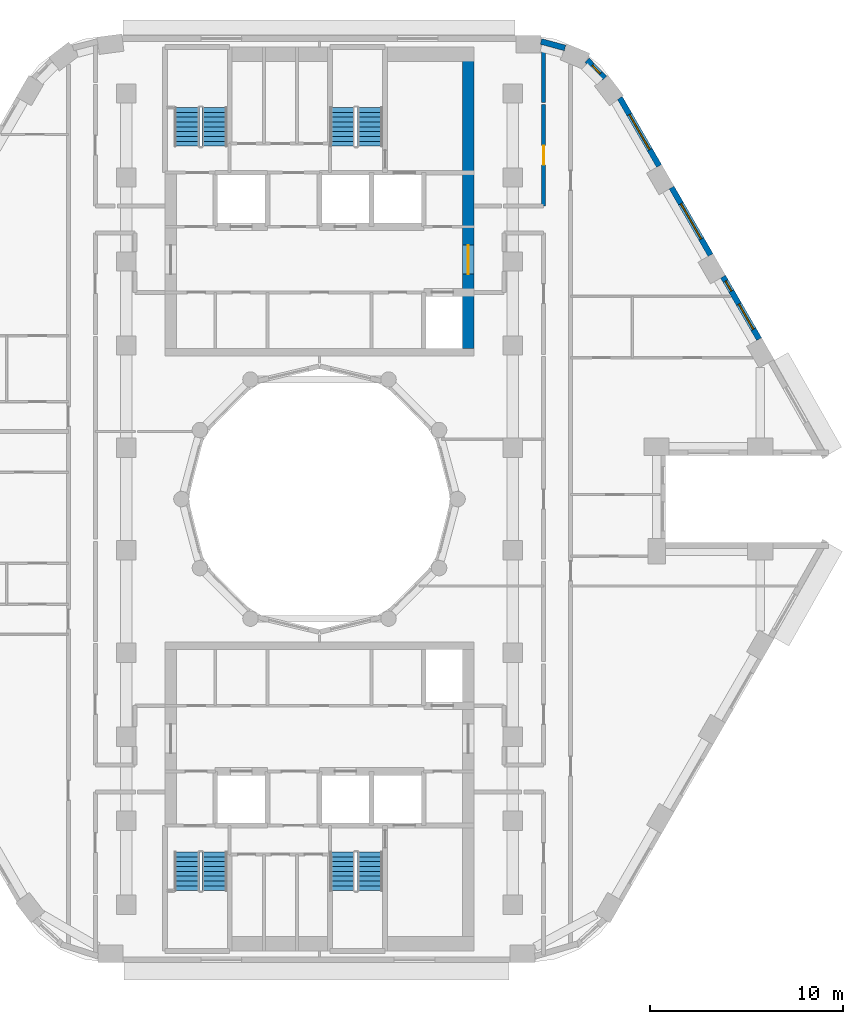
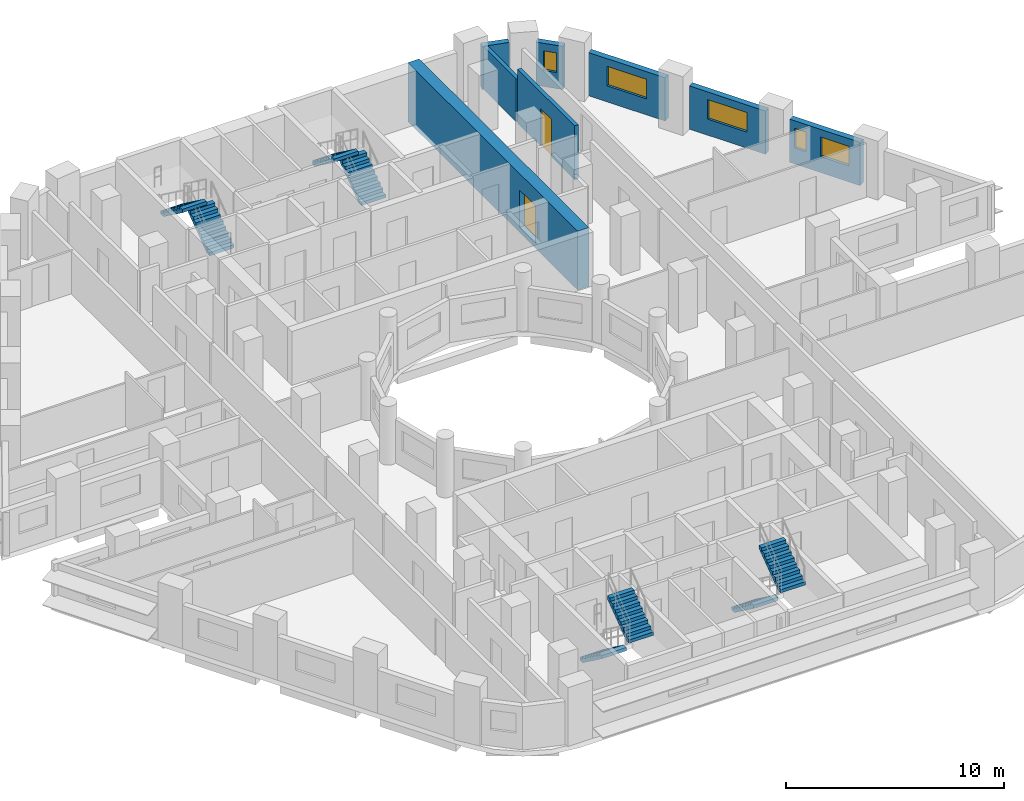
# One storey, part 9 of 13: 8 stair flights, 8 walls, 5 windows, 2 doors, 7 openings, 4 elements without a shape of their own.
"""IFC4 building model written with IfcOpenShell, lengths in metres."""

from ifc_helpers import new_model, si_unit, direction, frame, frame_2d, origin, place, context, subcontext, project, spatial, polyline, rectangle, outline, extrude, material, layer, layer_set, type_object, element, fill, aggregate, save


model = new_model("IFC4")

# Units and contexts
model_context = context("Model", 3, precision=1e-05, world=origin(), true_north=direction((0.0, 1.0)))
body_context = subcontext(model_context, "Body", "Model", "MODEL_VIEW")
ifc_project = project(units=[si_unit("LENGTHUNIT", "METRE"), si_unit("AREAUNIT", "SQUARE_METRE"), si_unit("VOLUMEUNIT", "CUBIC_METRE"), si_unit("PLANEANGLEUNIT", "RADIAN"), si_unit("MASSUNIT", "GRAM", prefix="KILO")], contexts=[model_context])

# Site, building, storey
site_placement = place(None, origin())
site = spatial("IfcSite", under=ifc_project, at=site_placement, CompositionType="ELEMENT")
building_placement = place(site_placement, origin())
building = spatial("IfcBuilding", under=site, at=building_placement, Name="Nakaniwa Court", CompositionType="ELEMENT")
storey_placement = place(building_placement, frame((0.0, 0.0, 143.699951171875)))
storey = spatial("IfcBuildingStorey", under=building, at=storey_placement, Name="L37", CompositionType="ELEMENT", Elevation=143.699951171875)

# Wall, opening, door
ifc_material_1 = material(Name="Acoustic double stud partition")
ifc_layer_1 = layer(ifc_material_1, 0.199951171875)
ifc_layer_set_1 = layer_set([ifc_layer_1], Name="Acoustic double stud partition")
wall_type_1 = type_object("IfcWallType", Name="Acoustic double stud partition 200", PredefinedType="PARTITIONING", material=ifc_layer_set_1)
wall_1_placement = place(storey_placement, frame((91.60009765625, 95.175048828125, 0.0), z_axis=(0.0, 0.0, 1.0), x_axis=(0.0, 1.0, 0.0)))
wall_1 = element("IfcWall", 1, at=wall_1_placement, inside=storey, type_object=wall_type_1, Name="Partition PW-077", PredefinedType="PARTITIONING", context=body_context, shape_type="SweptSolid", body=[
    extrude(rectangle(XDim=5.247802734375, YDim=0.199951171875, at=frame_2d((2.6240234375, 0.0))), origin(), (0.0, 0.0, 1.0), 3.025146484375),
])
opening_1_placement = place(wall_1_placement, frame((2.123046875, 0.0, 0.0)))
opening_1 = element("IfcOpeningElement", 2, at=opening_1_placement, cuts=wall_1, Name="Opening D-02-11", PredefinedType="OPENING", context=body_context, shape_type="SweptSolid", body=[
    extrude(rectangle(XDim=1.0, YDim=2.10009765625, at=frame_2d((0.5, 1.050048828125))), frame((0.0, 0.10986328125, 0.0), z_axis=(0.0, -1.0, 0.0), x_axis=(1.0, 0.0, 0.0)), (0.0, 0.0, 1.0), 0.219970703125),
])
ifc_material_2 = material(Name="Solid core timber door set, black veneer", Category="wood")
door_type_1 = type_object("IfcDoorType", Name="Internal door 1000", OperationType="NOTDEFINED", PredefinedType="DOOR", material=ifc_material_2)
door_1_placement = place(opening_1_placement, origin())
door_1 = element("IfcDoor", 3, at=door_1_placement, inside=storey, type_object=door_type_1, Name="Door D-02-11 L37-052", OperationType="SINGLE_SWING_LEFT", OverallHeight=2.10009765625, OverallWidth=1.0, PredefinedType="DOOR", context=body_context, shape_type="SweptSolid", body=[
    extrude(rectangle(XDim=1.0, YDim=2.10009765625, at=frame_2d((0.5, 1.050048828125))), frame((0.0, 0.02490234375, 0.0), z_axis=(0.0, -1.0, 0.0), x_axis=(1.0, 0.0, 0.0)), (0.0, 0.0, 1.0), 0.050048828125),
])
fill(opening_1, door_1)

# Wall
wall_2_placement = place(storey_placement, frame((91.60009765625, 100.537109375, 0.0), z_axis=(0.0, 0.0, 1.0), x_axis=(0.0, 1.0, 0.0)))
element("IfcWall", 4, at=wall_2_placement, inside=storey, type_object=wall_type_1, Name="Partition PW-078", PredefinedType="PARTITIONING", context=body_context, shape_type="SweptSolid", body=[
    extrude(rectangle(XDim=3.06201171875, YDim=0.199951171875, at=frame_2d((1.531005859375, 0.0))), origin(), (0.0, 0.0, 1.0), 2.405029296875),
])

# Wall, openings, windows
ifc_material_3 = material(Name="Charcoal ceramic cladding")
ifc_layer_2 = layer(ifc_material_3, 0.02, Name="Ceramic cladding")
ifc_material_4 = material(Name="Ventilated air cavity")
ifc_layer_3 = layer(ifc_material_4, 0.04, ventilated=True, Name="Ventilated cavity")
ifc_material_5 = material(Name="Mineral wool insulation")
ifc_layer_4 = layer(ifc_material_5, 0.1, Name="Insulation")
ifc_material_6 = material(Name="Cement bonded sheathing board")
ifc_layer_5 = layer(ifc_material_6, 0.012, Name="Sheathing")
ifc_material_7 = material(Name="Cold-formed galvanised stud frame with mineral wool infill")
ifc_layer_6 = layer(ifc_material_7, 0.1, Name="Stud frame")
ifc_material_8 = material(Name="Fire-rated gypsum plasterboard lining")
ifc_layer_7 = layer(ifc_material_8, 0.028, Name="Lining")
ifc_layer_set_2 = layer_set([ifc_layer_2, ifc_layer_3, ifc_layer_4, ifc_layer_5, ifc_layer_6, ifc_layer_7], Name="Charcoal ceramic faced external wall system")
wall_type_2 = type_object("IfcWallType", Name="Black ceramic faced external wall 300", PredefinedType="SOLIDWALL", material=ifc_layer_set_2)
wall_3_placement = place(storey_placement, frame((102.759521484375, 88.279052734375, 0.0), z_axis=(0.0, 0.0, 1.0), x_axis=(-0.499933594891, 0.866063739398, 0.0)))
wall_3 = element("IfcWall", 5, at=wall_3_placement, inside=storey, type_object=wall_type_2, Name="L37 external wall 03", PredefinedType="SOLIDWALL", context=body_context, shape_type="SweptSolid", body=[
    extrude(rectangle(XDim=3.73681640625, YDim=0.300048828125, at=frame_2d((1.868408203125, 0.0))), origin(), (0.0, 0.0, 1.0), 2.425048828125),
])
opening_2_placement = place(wall_3_placement, frame((0.59326171875, 0.0, 0.89990234375)))
opening_2 = element("IfcOpeningElement", 6, at=opening_2_placement, cuts=wall_3, Name="Opening W5.04", PredefinedType="OPENING", context=body_context, shape_type="SweptSolid", body=[
    extrude(rectangle(XDim=1.5, YDim=1.10009765625, at=frame_2d((0.75, 0.550048828125))), frame((0.0, 0.159912109375, 0.0), z_axis=(0.0, -1.0, 0.0), x_axis=(1.0, 0.0, 0.0)), (0.0, 0.0, 1.0), 0.320068359375),
])
opening_3_placement = place(wall_3_placement, frame((2.874755859375, 0.0, 0.89990234375)))
opening_3 = element("IfcOpeningElement", 7, at=opening_3_placement, cuts=wall_3, Name="Opening W8.05", PredefinedType="OPENING", context=body_context, shape_type="SweptSolid", body=[
    extrude(rectangle(XDim=0.60009765625, YDim=1.10009765625, at=frame_2d((0.300048828125, 0.550048828125))), frame((0.0, 0.159912109375, 0.0), z_axis=(0.0, -1.0, 0.0), x_axis=(1.0, 0.0, 0.0)), (0.0, 0.0, 1.0), 0.320068359375),
])
ifc_material_9 = material(Name="Black anodised aluminium frame with dark low-E laminated double glazing", Category="aluminium")
window_type_1 = type_object("IfcWindowType", Name="Dark glass window 1500x1100 sill 900", PartitioningType="SINGLE_PANEL", PredefinedType="WINDOW", material=ifc_material_9)
window_1_placement = place(opening_2_placement, origin())
window_1 = element("IfcWindow", 8, at=window_1_placement, inside=storey, type_object=window_type_1, Name="L37 habitable room window 03-0", OverallHeight=1.10009765625, OverallWidth=1.5, PartitioningType="SINGLE_PANEL", PredefinedType="WINDOW", context=body_context, shape_type="SweptSolid", body=[
    extrude(rectangle(XDim=1.5, YDim=1.10009765625, at=frame_2d((0.75, 0.550048828125))), frame((0.0, 0.030029296875, 0.0), z_axis=(0.0, -1.0, 0.0), x_axis=(1.0, 0.0, 0.0)), (0.0, 0.0, 1.0), 0.06005859375),
])
fill(opening_2, window_1)
window_type_2 = type_object("IfcWindowType", Name="Dark glass window 600x1100 sill 900", PartitioningType="SINGLE_PANEL", PredefinedType="WINDOW", material=ifc_material_9)
window_2_placement = place(opening_3_placement, origin())
window_2 = element("IfcWindow", 9, at=window_2_placement, inside=storey, type_object=window_type_2, Name="L37 habitable room window 03-1", OverallHeight=1.10009765625, OverallWidth=0.60009765625, PartitioningType="SINGLE_PANEL", PredefinedType="WINDOW", context=body_context, shape_type="SweptSolid", body=[
    extrude(rectangle(XDim=0.60009765625, YDim=1.10009765625, at=frame_2d((0.300048828125, 0.550048828125))), frame((0.0, 0.030029296875, 0.0), z_axis=(0.0, -1.0, 0.0), x_axis=(1.0, 0.0, 0.0)), (0.0, 0.0, 1.0), 0.06005859375),
])
fill(opening_3, window_2)

# Wall, opening, window
wall_4_placement = place(storey_placement, frame((100.245361328125, 92.63427734375, 0.0), z_axis=(0.0, 0.0, 1.0), x_axis=(-0.500031546601, 0.86600718958, 0.0)))
wall_4 = element("IfcWall", 10, at=wall_4_placement, inside=storey, type_object=wall_type_2, Name="L37 external wall 04", PredefinedType="SOLIDWALL", context=body_context, shape_type="SweptSolid", body=[
    extrude(rectangle(XDim=4.033935546875, YDim=0.300048828125, at=frame_2d((2.01708984375, 0.0))), origin(), (0.0, 0.0, 1.0), 2.425048828125),
])
opening_4_placement = place(wall_4_placement, frame((0.966796875, 0.0, 0.89990234375)))
opening_4 = element("IfcOpeningElement", 11, at=opening_4_placement, cuts=wall_4, Name="Opening W7.06", PredefinedType="OPENING", context=body_context, shape_type="SweptSolid", body=[
    extrude(rectangle(XDim=2.10009765625, YDim=1.10009765625, at=frame_2d((1.050048828125, 0.550048828125))), frame((0.0, 0.159912109375, 0.0), z_axis=(0.0, -1.0, 0.0), x_axis=(1.0, 0.0, 0.0)), (0.0, 0.0, 1.0), 0.320068359375),
])
window_type_3 = type_object("IfcWindowType", Name="Dark glass window 2100x1100 sill 900", PartitioningType="SINGLE_PANEL", PredefinedType="WINDOW", material=ifc_material_9)
window_3_placement = place(opening_4_placement, origin())
window_3 = element("IfcWindow", 12, at=window_3_placement, inside=storey, type_object=window_type_3, Name="L37 habitable room window 04-0", OverallHeight=1.10009765625, OverallWidth=2.10009765625, PartitioningType="SINGLE_PANEL", PredefinedType="WINDOW", context=body_context, shape_type="SweptSolid", body=[
    extrude(rectangle(XDim=2.10009765625, YDim=1.10009765625, at=frame_2d((1.050048828125, 0.550048828125))), frame((0.0, 0.030029296875, 0.0), z_axis=(0.0, -1.0, 0.0), x_axis=(1.0, 0.0, 0.0)), (0.0, 0.0, 1.0), 0.06005859375),
])
fill(opening_4, window_3)

wall_5_placement = place(storey_placement, frame((97.582275390625, 97.24658203125, 0.0), z_axis=(0.0, 0.0, 1.0), x_axis=(-0.500018589245, 0.866014671013, 0.0)))
wall_5 = element("IfcWall", 13, at=wall_5_placement, inside=storey, type_object=wall_type_2, Name="L37 external wall 05", PredefinedType="SOLIDWALL", context=body_context, shape_type="SweptSolid", body=[
    extrude(rectangle(XDim=4.067626953125, YDim=0.300048828125, at=frame_2d((2.03369140625, 0.0))), origin(), (0.0, 0.0, 1.0), 2.425048828125),
])
opening_5_placement = place(wall_5_placement, frame((0.97265625, 0.0, 0.89990234375)))
opening_5 = element("IfcOpeningElement", 14, at=opening_5_placement, cuts=wall_5, Name="Opening W7.07", PredefinedType="OPENING", context=body_context, shape_type="SweptSolid", body=[
    extrude(rectangle(XDim=2.10009765625, YDim=1.10009765625, at=frame_2d((1.050048828125, 0.550048828125))), frame((0.0, 0.159912109375, 0.0), z_axis=(0.0, -1.0, 0.0), x_axis=(1.0, 0.0, 0.0)), (0.0, 0.0, 1.0), 0.320068359375),
])
window_4_placement = place(opening_5_placement, origin())
window_4 = element("IfcWindow", 15, at=window_4_placement, inside=storey, type_object=window_type_3, Name="L37 habitable room window 05-0", OverallHeight=1.10009765625, OverallWidth=2.10009765625, PartitioningType="SINGLE_PANEL", PredefinedType="WINDOW", context=body_context, shape_type="SweptSolid", body=[
    extrude(rectangle(XDim=2.10009765625, YDim=1.10009765625, at=frame_2d((1.050048828125, 0.550048828125))), frame((0.0, 0.030029296875, 0.0), z_axis=(0.0, -1.0, 0.0), x_axis=(1.0, 0.0, 0.0)), (0.0, 0.0, 1.0), 0.06005859375),
])
fill(opening_5, window_4)

wall_6_placement = place(storey_placement, frame((94.76318359375, 101.79541015625, 0.0), z_axis=(0.0, 0.0, 1.0), x_axis=(-0.697598997785, 0.716488407645, 0.0)))
wall_6 = element("IfcWall", 16, at=wall_6_placement, inside=storey, type_object=wall_type_2, Name="L37 external wall 06", PredefinedType="SOLIDWALL", context=body_context, shape_type="SweptSolid", body=[
    extrude(rectangle(XDim=1.305419921875, YDim=0.300048828125, at=frame_2d((0.65283203125, 0.0))), origin(), (0.0, 0.0, 1.0), 2.425048828125),
])
opening_6_placement = place(wall_6_placement, frame((0.328125, 0.0, 0.89990234375)))
opening_6 = element("IfcOpeningElement", 17, at=opening_6_placement, cuts=wall_6, Name="Opening W8.08", PredefinedType="OPENING", context=body_context, shape_type="SweptSolid", body=[
    extrude(rectangle(XDim=0.60009765625, YDim=1.10009765625, at=frame_2d((0.300048828125, 0.550048828125))), frame((0.0, 0.159912109375, 0.0), z_axis=(0.0, -1.0, 0.0), x_axis=(1.0, 0.0, 0.0)), (0.0, 0.0, 1.0), 0.320068359375),
])
window_5_placement = place(opening_6_placement, origin())
window_5 = element("IfcWindow", 18, at=window_5_placement, inside=storey, type_object=window_type_2, Name="L37 habitable room window 06-0", OverallHeight=1.10009765625, OverallWidth=0.60009765625, PartitioningType="SINGLE_PANEL", PredefinedType="WINDOW", context=body_context, shape_type="SweptSolid", body=[
    extrude(rectangle(XDim=0.60009765625, YDim=1.10009765625, at=frame_2d((0.300048828125, 0.550048828125))), frame((0.0, 0.030029296875, 0.0), z_axis=(0.0, -1.0, 0.0), x_axis=(1.0, 0.0, 0.0)), (0.0, 0.0, 1.0), 0.06005859375),
])
fill(opening_6, window_5)

# Wall
wall_7_placement = place(storey_placement, frame((92.712890625, 103.3564453125, 0.0), z_axis=(0.0, 0.0, 1.0), x_axis=(-0.965274225809, 0.26123872031, 0.0)))
element("IfcWall", 19, at=wall_7_placement, inside=storey, type_object=wall_type_2, Name="L37 external wall 07", PredefinedType="SOLIDWALL", context=body_context, shape_type="SweptSolid", body=[
    extrude(rectangle(XDim=1.286865234375, YDim=0.300048828125, at=frame_2d((0.6435546875, 0.0))), origin(), (0.0, 0.0, 1.0), 2.425048828125),
])

# Wall, opening, door
ifc_material_10 = material(Name="Concrete C80/100", Category="concrete")
ifc_layer_8 = layer(ifc_material_10, 0.60009765625)
ifc_layer_set_3 = layer_set([ifc_layer_8], Name="Concrete C80/100")
wall_type_3 = type_object("IfcWallType", Name="Concrete core side wall 600 C80", PredefinedType="SHEAR", material=ifc_layer_set_3)
wall_8_placement = place(storey_placement, frame((87.699951171875, 103.39990234375, -0.27490234375), z_axis=(0.0, 0.0, 1.0), x_axis=(0.0, -1.0, 0.0)))
wall_8 = element("IfcWall", 20, at=wall_8_placement, inside=storey, type_object=wall_type_3, Name="Core wall SW-07", PredefinedType="SHEAR", context=body_context, shape_type="SweptSolid", body=[
    extrude(rectangle(XDim=15.599853515625, YDim=0.60009765625, at=frame_2d((7.7998046875, 0.0))), origin(), (0.0, 0.0, 1.0), 3.300048828125),
])
opening_7_placement = place(wall_8_placement, frame((10.248046875, 0.0, 0.27490234375)))
opening_7 = element("IfcOpeningElement", 21, at=opening_7_placement, cuts=wall_8, Name="Opening D-07-01", PredefinedType="OPENING", context=body_context, shape_type="SweptSolid", body=[
    extrude(rectangle(XDim=1.5, YDim=2.10009765625, at=frame_2d((0.75, 1.050048828125))), frame((0.0, 0.31005859375, 0.0), z_axis=(0.0, -1.0, 0.0), x_axis=(1.0, 0.0, 0.0)), (0.0, 0.0, 1.0), 0.6201171875),
])
ifc_material_11 = material(Name="Glazed fire rated steel double door set", Category="steel")
door_type_2 = type_object("IfcDoorType", Name="Lobby double door 1500", OperationType="NOTDEFINED", PredefinedType="DOOR", material=ifc_material_11)
door_2_placement = place(opening_7_placement, origin())
door_2 = element("IfcDoor", 22, at=door_2_placement, inside=storey, type_object=door_type_2, Name="Door D-07-01 L37-054", OperationType="DOUBLE_DOOR_SINGLE_SWING", OverallHeight=2.10009765625, OverallWidth=1.5, PredefinedType="DOOR", context=body_context, shape_type="SweptSolid", body=[
    extrude(rectangle(XDim=1.5, YDim=2.10009765625, at=frame_2d((0.75, 1.050048828125))), frame((0.0, 0.02490234375, 0.0), z_axis=(0.0, -1.0, 0.0), x_axis=(1.0, 0.0, 0.0)), (0.0, 0.0, 1.0), 0.050048828125),
])
fill(opening_7, door_2)

# Stair, stair flights
stair_type = type_object("IfcStairType", Name="Dog leg stair 1300 wide 18 risers", PredefinedType="HALF_TURN_STAIR", material=ifc_material_10)
stair_1_placement = place(storey_placement, origin())
stair_1 = element("IfcStair", 23, at=stair_1_placement, inside=storey, type_object=stair_type, Name="L37 Stair ST1", PredefinedType="HALF_TURN_STAIR")
stair_flight_type = type_object("IfcStairFlightType", Name="Stair flight 1300 wide 9 risers", PredefinedType="STRAIGHT", material=ifc_material_10)
stair_flight_1_placement = place(storey_placement, frame((74.574951171875, 98.27490234375, 0.0), z_axis=(0.0, 0.0, 1.0), x_axis=(0.0, 1.0, 0.0)))
stair_flight_1 = element("IfcStairFlight", 24, at=stair_flight_1_placement, type_object=stair_flight_type, Name="ST1 flight 1", NumberOfRisers=9, NumberOfTreads=8, PredefinedType="STRAIGHT", RiserHeight=0.183333333, TreadLength=0.25, context=body_context, shape_type="SweptSolid", body=[
    extrude(outline(polyline([(0.0, 0.0), (0.0, 0.026123046875), (0.0, 0.052490234375), (0.0, 0.07861328125), (0.0, 0.104736328125), (0.0, 0.130859375), (0.0, 0.1572265625), (0.0, 0.183349609375), (0.25, 0.183349609375), (0.25, 0.36669921875), (0.5, 0.36669921875), (0.5, 0.550048828125), (0.75, 0.550048828125), (0.75, 0.7333984375), (1.0, 0.7333984375), (1.0, 0.916748046875), (1.25, 0.916748046875), (1.25, 1.10009765625), (1.5, 1.10009765625), (1.5, 1.283447265625), (1.75, 1.283447265625), (1.75, 1.466552734375), (2.0, 1.466552734375), (2.0, 1.64990234375), (2.0, 1.59716796875), (2.0, 1.54443359375), (2.0, 1.49169921875), (2.0, 1.43896484375), (2.0, 1.38623046875), (2.0, 1.33349609375), (2.0, 1.28076171875), (0.25341796875, 0.0), (0.0, 0.0)])), frame((0.0, 0.64990234375, 0.0), z_axis=(0.0, -1.0, 0.0), x_axis=(1.0, 0.0, 0.0)), (0.0, 0.0, 1.0), 1.300048828125),
])
stair_flight_2_placement = place(storey_placement, frame((73.125, 100.27490234375, 1.650146484375), z_axis=(0.0, 0.0, 1.0), x_axis=(0.0, -1.0, 0.0)))
stair_flight_2 = element("IfcStairFlight", 25, at=stair_flight_2_placement, type_object=stair_flight_type, Name="ST1 flight 2", NumberOfRisers=9, NumberOfTreads=8, PredefinedType="STRAIGHT", RiserHeight=0.183333333, TreadLength=0.25, context=body_context, shape_type="SweptSolid", body=[
    extrude(outline(polyline([(0.0, 0.0), (0.0, 0.026123046875), (0.0, 0.052490234375), (0.0, 0.07861328125), (0.0, 0.104736328125), (0.0, 0.130859375), (0.0, 0.1572265625), (0.0, 0.183349609375), (0.25, 0.183349609375), (0.25, 0.36669921875), (0.5, 0.36669921875), (0.5, 0.550048828125), (0.75, 0.550048828125), (0.75, 0.7333984375), (1.0, 0.7333984375), (1.0, 0.916748046875), (1.25, 0.916748046875), (1.25, 1.10009765625), (1.5, 1.10009765625), (1.5, 1.283447265625), (1.75, 1.283447265625), (1.75, 1.466552734375), (2.0, 1.466552734375), (2.0, 1.64990234375), (2.0, 1.59716796875), (2.0, 1.54443359375), (2.0, 1.49169921875), (2.0, 1.43896484375), (2.0, 1.38623046875), (2.0, 1.33349609375), (2.0, 1.28076171875), (0.25341796875, 0.0), (0.0, 0.0)])), frame((0.0, 0.64990234375, 0.0), z_axis=(0.0, -1.0, 0.0), x_axis=(1.0, 0.0, 0.0)), (0.0, 0.0, 1.0), 1.300048828125),
])
aggregate(stair_1, [stair_flight_1, stair_flight_2])

stair_2_placement = place(storey_placement, origin())
stair_2 = element("IfcStair", 26, at=stair_2_placement, inside=storey, type_object=stair_type, Name="L37 Stair ST2", PredefinedType="HALF_TURN_STAIR")
stair_flight_3_placement = place(storey_placement, frame((82.625, 98.27490234375, 0.0), z_axis=(0.0, 0.0, 1.0), x_axis=(0.0, 1.0, 0.0)))
stair_flight_3 = element("IfcStairFlight", 27, at=stair_flight_3_placement, type_object=stair_flight_type, Name="ST2 flight 1", NumberOfRisers=9, NumberOfTreads=8, PredefinedType="STRAIGHT", RiserHeight=0.183333333, TreadLength=0.25, context=body_context, shape_type="SweptSolid", body=[
    extrude(outline(polyline([(0.0, 0.0), (0.0, 0.026123046875), (0.0, 0.052490234375), (0.0, 0.07861328125), (0.0, 0.104736328125), (0.0, 0.130859375), (0.0, 0.1572265625), (0.0, 0.183349609375), (0.25, 0.183349609375), (0.25, 0.36669921875), (0.5, 0.36669921875), (0.5, 0.550048828125), (0.75, 0.550048828125), (0.75, 0.7333984375), (1.0, 0.7333984375), (1.0, 0.916748046875), (1.25, 0.916748046875), (1.25, 1.10009765625), (1.5, 1.10009765625), (1.5, 1.283447265625), (1.75, 1.283447265625), (1.75, 1.466552734375), (2.0, 1.466552734375), (2.0, 1.64990234375), (2.0, 1.59716796875), (2.0, 1.54443359375), (2.0, 1.49169921875), (2.0, 1.43896484375), (2.0, 1.38623046875), (2.0, 1.33349609375), (2.0, 1.28076171875), (0.25341796875, 0.0), (0.0, 0.0)])), frame((0.0, 0.64990234375, 0.0), z_axis=(0.0, -1.0, 0.0), x_axis=(1.0, 0.0, 0.0)), (0.0, 0.0, 1.0), 1.300048828125),
])
stair_flight_4_placement = place(storey_placement, frame((81.175048828125, 100.27490234375, 1.650146484375), z_axis=(0.0, 0.0, 1.0), x_axis=(0.0, -1.0, 0.0)))
stair_flight_4 = element("IfcStairFlight", 28, at=stair_flight_4_placement, type_object=stair_flight_type, Name="ST2 flight 2", NumberOfRisers=9, NumberOfTreads=8, PredefinedType="STRAIGHT", RiserHeight=0.183333333, TreadLength=0.25, context=body_context, shape_type="SweptSolid", body=[
    extrude(outline(polyline([(0.0, 0.0), (0.0, 0.026123046875), (0.0, 0.052490234375), (0.0, 0.07861328125), (0.0, 0.104736328125), (0.0, 0.130859375), (0.0, 0.1572265625), (0.0, 0.183349609375), (0.25, 0.183349609375), (0.25, 0.36669921875), (0.5, 0.36669921875), (0.5, 0.550048828125), (0.75, 0.550048828125), (0.75, 0.7333984375), (1.0, 0.7333984375), (1.0, 0.916748046875), (1.25, 0.916748046875), (1.25, 1.10009765625), (1.5, 1.10009765625), (1.5, 1.283447265625), (1.75, 1.283447265625), (1.75, 1.466552734375), (2.0, 1.466552734375), (2.0, 1.64990234375), (2.0, 1.59716796875), (2.0, 1.54443359375), (2.0, 1.49169921875), (2.0, 1.43896484375), (2.0, 1.38623046875), (2.0, 1.33349609375), (2.0, 1.28076171875), (0.25341796875, 0.0), (0.0, 0.0)])), frame((0.0, 0.64990234375, 0.0), z_axis=(0.0, -1.0, 0.0), x_axis=(1.0, 0.0, 0.0)), (0.0, 0.0, 1.0), 1.300048828125),
])
aggregate(stair_2, [stair_flight_3, stair_flight_4])

stair_3_placement = place(storey_placement, origin())
stair_3 = element("IfcStair", 29, at=stair_3_placement, inside=storey, type_object=stair_type, Name="L37 Stair ST3", PredefinedType="HALF_TURN_STAIR")
stair_flight_5_placement = place(storey_placement, frame((73.125, 61.72509765625, 0.0), z_axis=(0.0, 0.0, 1.0), x_axis=(0.0, -1.0, 0.0)))
stair_flight_5 = element("IfcStairFlight", 30, at=stair_flight_5_placement, type_object=stair_flight_type, Name="ST3 flight 1", NumberOfRisers=9, NumberOfTreads=8, PredefinedType="STRAIGHT", RiserHeight=0.183333333, TreadLength=0.25, context=body_context, shape_type="SweptSolid", body=[
    extrude(outline(polyline([(0.0, 0.0), (0.0, 0.026123046875), (0.0, 0.052490234375), (0.0, 0.07861328125), (0.0, 0.104736328125), (0.0, 0.130859375), (0.0, 0.1572265625), (0.0, 0.183349609375), (0.25, 0.183349609375), (0.25, 0.36669921875), (0.5, 0.36669921875), (0.5, 0.550048828125), (0.75, 0.550048828125), (0.75, 0.7333984375), (1.0, 0.7333984375), (1.0, 0.916748046875), (1.25, 0.916748046875), (1.25, 1.10009765625), (1.5, 1.10009765625), (1.5, 1.283447265625), (1.75, 1.283447265625), (1.75, 1.466552734375), (2.0, 1.466552734375), (2.0, 1.64990234375), (2.0, 1.59716796875), (2.0, 1.54443359375), (2.0, 1.49169921875), (2.0, 1.43896484375), (2.0, 1.38623046875), (2.0, 1.33349609375), (2.0, 1.28076171875), (0.25341796875, 0.0), (0.0, 0.0)])), frame((0.0, 0.64990234375, 0.0), z_axis=(0.0, -1.0, 0.0), x_axis=(1.0, 0.0, 0.0)), (0.0, 0.0, 1.0), 1.300048828125),
])
stair_flight_6_placement = place(storey_placement, frame((74.574951171875, 59.72509765625, 1.650146484375), z_axis=(0.0, 0.0, 1.0), x_axis=(0.0, 1.0, 0.0)))
stair_flight_6 = element("IfcStairFlight", 31, at=stair_flight_6_placement, type_object=stair_flight_type, Name="ST3 flight 2", NumberOfRisers=9, NumberOfTreads=8, PredefinedType="STRAIGHT", RiserHeight=0.183333333, TreadLength=0.25, context=body_context, shape_type="SweptSolid", body=[
    extrude(outline(polyline([(0.0, 0.0), (0.0, 0.026123046875), (0.0, 0.052490234375), (0.0, 0.07861328125), (0.0, 0.104736328125), (0.0, 0.130859375), (0.0, 0.1572265625), (0.0, 0.183349609375), (0.25, 0.183349609375), (0.25, 0.36669921875), (0.5, 0.36669921875), (0.5, 0.550048828125), (0.75, 0.550048828125), (0.75, 0.7333984375), (1.0, 0.7333984375), (1.0, 0.916748046875), (1.25, 0.916748046875), (1.25, 1.10009765625), (1.5, 1.10009765625), (1.5, 1.283447265625), (1.75, 1.283447265625), (1.75, 1.466552734375), (2.0, 1.466552734375), (2.0, 1.64990234375), (2.0, 1.59716796875), (2.0, 1.54443359375), (2.0, 1.49169921875), (2.0, 1.43896484375), (2.0, 1.38623046875), (2.0, 1.33349609375), (2.0, 1.28076171875), (0.25341796875, 0.0), (0.0, 0.0)])), frame((0.0, 0.64990234375, 0.0), z_axis=(0.0, -1.0, 0.0), x_axis=(1.0, 0.0, 0.0)), (0.0, 0.0, 1.0), 1.300048828125),
])
aggregate(stair_3, [stair_flight_5, stair_flight_6])

stair_4_placement = place(storey_placement, origin())
stair_4 = element("IfcStair", 32, at=stair_4_placement, inside=storey, type_object=stair_type, Name="L37 Stair ST4", PredefinedType="HALF_TURN_STAIR")
stair_flight_7_placement = place(storey_placement, frame((81.175048828125, 61.72509765625, 0.0), z_axis=(0.0, 0.0, 1.0), x_axis=(0.0, -1.0, 0.0)))
stair_flight_7 = element("IfcStairFlight", 33, at=stair_flight_7_placement, type_object=stair_flight_type, Name="ST4 flight 1", NumberOfRisers=9, NumberOfTreads=8, PredefinedType="STRAIGHT", RiserHeight=0.183333333, TreadLength=0.25, context=body_context, shape_type="SweptSolid", body=[
    extrude(outline(polyline([(0.0, 0.0), (0.0, 0.026123046875), (0.0, 0.052490234375), (0.0, 0.07861328125), (0.0, 0.104736328125), (0.0, 0.130859375), (0.0, 0.1572265625), (0.0, 0.183349609375), (0.25, 0.183349609375), (0.25, 0.36669921875), (0.5, 0.36669921875), (0.5, 0.550048828125), (0.75, 0.550048828125), (0.75, 0.7333984375), (1.0, 0.7333984375), (1.0, 0.916748046875), (1.25, 0.916748046875), (1.25, 1.10009765625), (1.5, 1.10009765625), (1.5, 1.283447265625), (1.75, 1.283447265625), (1.75, 1.466552734375), (2.0, 1.466552734375), (2.0, 1.64990234375), (2.0, 1.59716796875), (2.0, 1.54443359375), (2.0, 1.49169921875), (2.0, 1.43896484375), (2.0, 1.38623046875), (2.0, 1.33349609375), (2.0, 1.28076171875), (0.25341796875, 0.0), (0.0, 0.0)])), frame((0.0, 0.64990234375, 0.0), z_axis=(0.0, -1.0, 0.0), x_axis=(1.0, 0.0, 0.0)), (0.0, 0.0, 1.0), 1.300048828125),
])
stair_flight_8_placement = place(storey_placement, frame((82.625, 59.72509765625, 1.650146484375), z_axis=(0.0, 0.0, 1.0), x_axis=(0.0, 1.0, 0.0)))
stair_flight_8 = element("IfcStairFlight", 34, at=stair_flight_8_placement, type_object=stair_flight_type, Name="ST4 flight 2", NumberOfRisers=9, NumberOfTreads=8, PredefinedType="STRAIGHT", RiserHeight=0.183333333, TreadLength=0.25, context=body_context, shape_type="SweptSolid", body=[
    extrude(outline(polyline([(0.0, 0.0), (0.0, 0.026123046875), (0.0, 0.052490234375), (0.0, 0.07861328125), (0.0, 0.104736328125), (0.0, 0.130859375), (0.0, 0.1572265625), (0.0, 0.183349609375), (0.25, 0.183349609375), (0.25, 0.36669921875), (0.5, 0.36669921875), (0.5, 0.550048828125), (0.75, 0.550048828125), (0.75, 0.7333984375), (1.0, 0.7333984375), (1.0, 0.916748046875), (1.25, 0.916748046875), (1.25, 1.10009765625), (1.5, 1.10009765625), (1.5, 1.283447265625), (1.75, 1.283447265625), (1.75, 1.466552734375), (2.0, 1.466552734375), (2.0, 1.64990234375), (2.0, 1.59716796875), (2.0, 1.54443359375), (2.0, 1.49169921875), (2.0, 1.43896484375), (2.0, 1.38623046875), (2.0, 1.33349609375), (2.0, 1.28076171875), (0.25341796875, 0.0), (0.0, 0.0)])), frame((0.0, 0.64990234375, 0.0), z_axis=(0.0, -1.0, 0.0), x_axis=(1.0, 0.0, 0.0)), (0.0, 0.0, 1.0), 1.300048828125),
])
aggregate(stair_4, [stair_flight_7, stair_flight_8])

save(model, "model.ifc")
